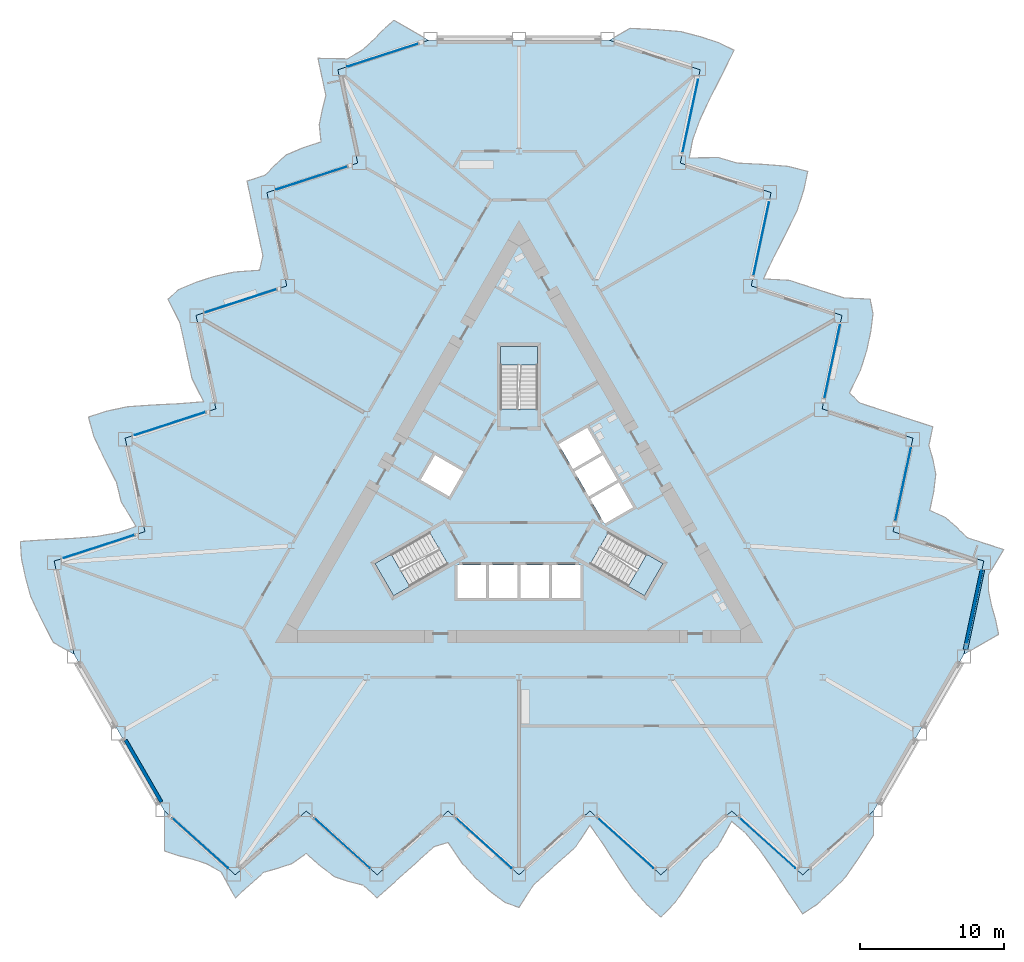
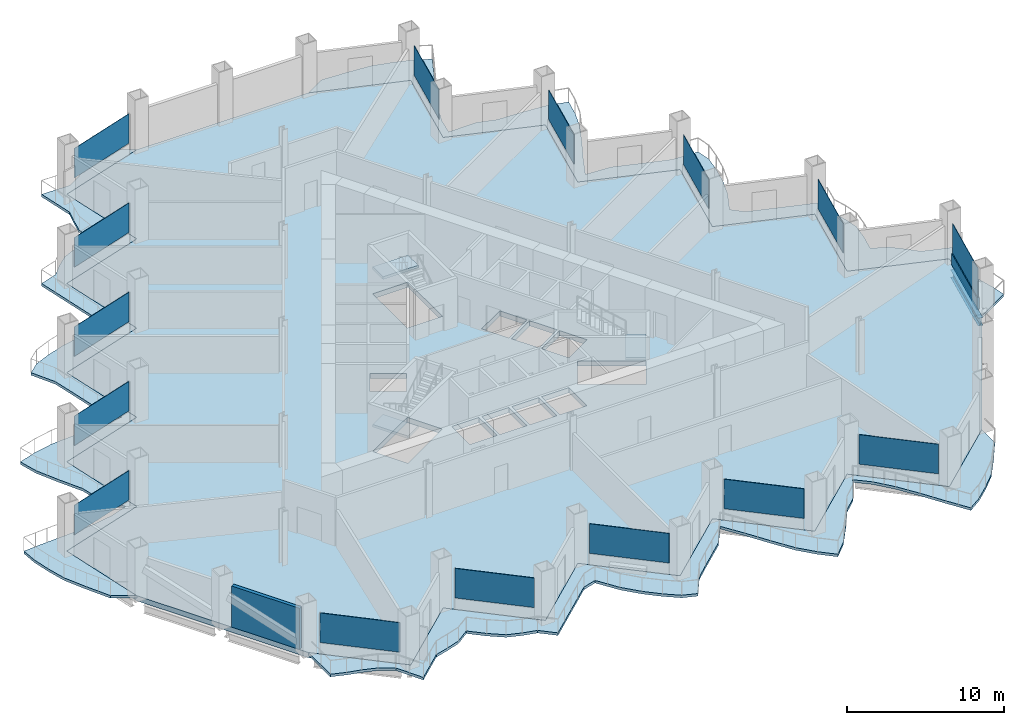
# One storey, part 8 of 21: 15 plates, 7 slabs, 1 beam, 1 member, 1 wall, 18 elements without a shape of their own.
"""IFC4 building model written with IfcOpenShell, lengths in metres."""

from ifc_helpers import new_model, si_unit, direction, frame, frame_2d, origin, origin_2d, place, context, subcontext, project, spatial, polyline, rectangle, i_section, outline, extrude, material, layer, layer_set, material_profile, profile_set, type_object, element, aggregate, save


model = new_model("IFC4")

# Units and contexts
model_context = context("Model", 3, precision=1e-05, world=origin(), true_north=direction((0.0, 1.0)))
body_context = subcontext(model_context, "Body", "Model", "MODEL_VIEW")
ifc_project = project(units=[si_unit("LENGTHUNIT", "METRE"), si_unit("AREAUNIT", "SQUARE_METRE"), si_unit("VOLUMEUNIT", "CUBIC_METRE"), si_unit("PLANEANGLEUNIT", "RADIAN"), si_unit("MASSUNIT", "GRAM", prefix="KILO")], contexts=[model_context])

# Site, building, storey
site_placement = place(None, origin())
site = spatial("IfcSite", under=ifc_project, at=site_placement, CompositionType="ELEMENT")
building_placement = place(site_placement, origin())
building = spatial("IfcBuilding", under=site, at=building_placement, Name="Cormorant Prow Tower", CompositionType="ELEMENT")
storey_placement = place(building_placement, frame((0.0, 0.0, 80.39990234375)))
storey = spatial("IfcBuildingStorey", under=building, at=storey_placement, Name="L17", CompositionType="ELEMENT", Elevation=80.39990234375)

# Curtain wall, member
ifc_material_1 = material(Name="Aluminium 6063-T6", Category="aluminium")
ifc_layer_1 = layer(ifc_material_1, 0.199951171875)
ifc_layer_set_1 = layer_set([ifc_layer_1], Name="Aluminium 6063-T6")
curtain_wall_type = type_object("IfcCurtainWallType", Name="Office unitised curtain wall 200", PredefinedType="NOTDEFINED", material=ifc_layer_set_1)
curtain_wall_1_placement = place(storey_placement, origin())
curtain_wall_1 = element("IfcCurtainWall", 1, at=curtain_wall_1_placement, inside=storey, type_object=curtain_wall_type, Name="Office curtain wall ENE00", PredefinedType="NOTDEFINED")
ifc_material_2 = material(Name="Terracotta", Category="masonry")
ifc_material_profile_1 = material_profile(ifc_material_2, rectangle(XDim=0.159912109375, YDim=0.89990234375, at=origin_2d()), Name="Office terracotta spandrel rail 160x900")
ifc_profile_set_1 = profile_set([ifc_material_profile_1], Name="Terracotta")
member_type = type_object("IfcMemberType", Name="Office terracotta spandrel rail 160x900", PredefinedType="USERDEFINED", material=ifc_profile_set_1)
member_placement = place(storey_placement, frame((31.15869140625, -9.87939453125, 0.4501953125), z_axis=(0.207907213273, 0.978148552455, 0.0), x_axis=(-0.978148552455, 0.207907213273, 0.0)))
member = element("IfcMember", 2, at=member_placement, type_object=member_type, Name="Office spandrel rail ENE00", ObjectType="TRANSOM", PredefinedType="USERDEFINED", context=body_context, shape_type="SweptSolid", body=[
    extrude(rectangle(XDim=0.159912109375, YDim=0.89990234375, at=origin_2d()), origin(), (0.0, 0.0, 1.0), 5.18212890625),
])

# Beam
ifc_material_3 = material(Name="Structural steel ASTM A992 Gr 50", Category="steel")
ifc_material_profile_2 = material_profile(ifc_material_3, i_section(OverallWidth=0.32373046875, OverallDepth=0.611083984375, WebThickness=0.0126953125, FlangeThickness=0.01904296875, at=origin_2d()), Name="W24x104")
ifc_profile_set_2 = profile_set([ifc_material_profile_2], Name="Structural steel ASTM A992 Gr 50")
beam_type = type_object("IfcBeamType", Name="Spandrel beam W24x104", PredefinedType="SPANDREL", material=ifc_profile_set_2)
beam_placement = place(storey_placement, frame((31.10400390625, -10.28466796875, -0.70556640625), z_axis=(0.207900376723, 0.97815000555, 0.0), x_axis=(-0.97815000555, 0.207900376723, 0.0)))
element("IfcBeam", 3, at=beam_placement, inside=storey, type_object=beam_type, Name="Spandrel beam SB1 ENE00-ENE01 L17", PredefinedType="SPANDREL", context=body_context, shape_type="SweptSolid", body=[
    extrude(i_section(OverallWidth=0.32373046875, OverallDepth=0.611083984375, WebThickness=0.0126953125, FlangeThickness=0.01904296875, at=origin_2d()), origin(), (0.0, 0.0, 1.0), 5.6826171875),
])

# Slabs
ifc_material_4 = material(Name="Concrete C40/50", Category="concrete")
ifc_layer_2 = layer(ifc_material_4, 0.199951171875)
ifc_layer_set_2 = layer_set([ifc_layer_2], Name="Concrete C40/50")
slab_type_1 = type_object("IfcSlabType", Name="Balcony slab 200", PredefinedType="FLOOR", material=ifc_layer_set_2)
slab_1_placement = place(storey_placement, frame((0.0, 0.0, -0.199951171875)))
element("IfcSlab", 4, at=slab_1_placement, inside=storey, type_object=slab_type_1, Name="Balcony slab S L17", PredefinedType="FLOOR", context=body_context, shape_type="SweptSolid", body=[
    extrude(outline(polyline([(-24.7021484375, -21.533935546875), (-24.7021484375, -24.31787109375), (-23.714111328125, -24.64892578125), (-22.72607421875, -24.893310546875), (-21.73779296875, -25.222900390625), (-20.749755859375, -25.787109375), (-19.76171875, -27.582275390625), (-18.773681640625, -26.692626953125), (-17.78564453125, -25.802978515625), (-16.79736328125, -25.522705078125), (-15.809326171875, -25.19580078125), (-14.8212890625, -24.48388671875), (-13.833251953125, -25.37353515625), (-12.84521484375, -26.112548828125), (-11.85693359375, -26.449462890625), (-10.868896484375, -26.69384765625), (-9.880859375, -27.582275390625), (-8.892822265625, -26.692626953125), (-7.90478515625, -25.802978515625), (-6.91650390625, -24.913330078125), (-5.928466796875, -24.023681640625), (-4.9404296875, -23.721923828125), (-3.952392578125, -25.179931640625), (-2.96435546875, -26.26318359375), (-1.97607421875, -27.15283203125), (-0.988037109375, -27.906982421875), (0.0, -28.249755859375), (0.988037109375, -26.71533203125), (1.97607421875, -25.802978515625), (2.96435546875, -24.913330078125), (3.952392578125, -24.023681640625), (4.9404296875, -22.511962890625), (5.928466796875, -23.945556640625), (6.91650390625, -25.479736328125), (7.90478515625, -26.943115234375), (8.892822265625, -28.042724609375), (9.880859375, -28.932373046875), (10.868896484375, -27.921875), (11.85693359375, -26.491455078125), (12.84521484375, -24.95751953125), (13.833251953125, -24.023681640625), (14.8212890625, -22.24755859375), (15.809326171875, -23.098876953125), (16.79736328125, -24.276611328125), (17.78564453125, -25.7041015625), (18.773681640625, -27.23779296875), (19.76171875, -28.7060546875), (20.749755859375, -28.042724609375), (21.73779296875, -27.15283203125), (22.72607421875, -26.156982421875), (23.714111328125, -24.73291015625), (24.7021484375, -23.19970703125), (24.7021484375, -21.533935546875), (23.714111328125, -22.423583984375), (22.72607421875, -23.313232421875), (21.73779296875, -24.202880859375), (20.749755859375, -25.092529296875), (19.76171875, -25.982421875), (18.773681640625, -25.092529296875), (17.78564453125, -24.202880859375), (16.79736328125, -23.313232421875), (15.809326171875, -22.423583984375), (14.8212890625, -21.533935546875), (13.833251953125, -22.423583984375), (12.84521484375, -23.313232421875), (11.85693359375, -24.202880859375), (10.868896484375, -25.092529296875), (9.880859375, -25.982421875), (8.892822265625, -25.092529296875), (7.90478515625, -24.202880859375), (6.91650390625, -23.313232421875), (5.928466796875, -22.423583984375), (4.9404296875, -21.533935546875), (3.952392578125, -22.423583984375), (2.96435546875, -23.313232421875), (1.97607421875, -24.202880859375), (0.988037109375, -25.092529296875), (0.0, -25.982421875), (-0.988037109375, -25.092529296875), (-1.97607421875, -24.202880859375), (-2.96435546875, -23.313232421875), (-3.952392578125, -22.423583984375), (-4.9404296875, -21.533935546875), (-5.928466796875, -22.423583984375), (-6.91650390625, -23.313232421875), (-7.90478515625, -24.202880859375), (-8.892822265625, -25.092529296875), (-9.880859375, -25.982421875), (-10.868896484375, -25.092529296875), (-11.85693359375, -24.202880859375), (-12.84521484375, -23.313232421875), (-13.833251953125, -22.423583984375), (-14.8212890625, -21.533935546875), (-15.809326171875, -22.423583984375), (-16.79736328125, -23.313232421875), (-17.78564453125, -24.202880859375), (-18.773681640625, -25.092529296875), (-19.76171875, -25.982421875), (-20.749755859375, -25.092529296875), (-21.73779296875, -24.202880859375), (-22.72607421875, -23.313232421875), (-23.714111328125, -22.423583984375), (-24.7021484375, -21.533935546875)])), origin(), (0.0, 0.0, 1.0), 0.199951171875),
])
slab_2_placement = place(storey_placement, frame((0.0, 0.0, -0.199951171875)))
element("IfcSlab", 5, at=slab_2_placement, inside=storey, type_object=slab_type_1, Name="Balcony slab ENE L17", PredefinedType="FLOOR", context=body_context, shape_type="SweptSolid", body=[
    extrude(outline(polyline([(31.0, -10.625732421875), (33.410888671875, -9.23388671875), (33.20361328125, -8.212646484375), (32.921142578125, -7.234619140625), (32.712646484375, -6.214111328125), (32.707275390625, -5.076416015625), (33.767822265625, -3.322998046875), (32.50341796875, -2.912109375), (31.23876953125, -2.501220703125), (30.501953125, -1.78564453125), (29.724853515625, -1.093505859375), (28.6142578125, -0.59375), (28.890869140625, 0.706787109375), (29.03662109375, 1.93212890625), (28.83447265625, 2.956298828125), (28.552001953125, 3.93408203125), (28.827392578125, 5.234130859375), (27.56298828125, 5.64501953125), (26.29833984375, 6.055908203125), (25.033935546875, 6.466796875), (23.769287109375, 6.87744140625), (23.013916015625, 7.58251953125), (23.782470703125, 9.1669921875), (24.226806640625, 10.564453125), (24.503173828125, 11.864990234375), (24.662353515625, 13.097900390625), (24.465087890625, 14.125), (22.64208984375, 14.21337890625), (21.35791015625, 14.61279296875), (20.093505859375, 15.023681640625), (18.828857421875, 15.4345703125), (17.02587890625, 15.53466796875), (17.773193359375, 17.10693359375), (18.60791015625, 18.72998046875), (19.381103515625, 20.317138671875), (19.839111328125, 21.72265625), (20.11572265625, 23.023193359375), (18.74658203125, 23.373779296875), (17.013671875, 23.51416015625), (15.191162109375, 23.60302734375), (13.888427734375, 23.99169921875), (11.856201171875, 23.95947265625), (12.099609375, 25.24072265625), (12.62548828125, 26.685302734375), (13.36767578125, 28.2548828125), (14.20166015625, 29.877197265625), (14.979248046875, 31.46728515625), (13.91064453125, 31.9912109375), (12.646240234375, 32.402099609375), (11.289794921875, 32.759765625), (9.562255859375, 32.903564453125), (7.740478515625, 32.992431640625), (6.2978515625, 32.15966796875), (7.562255859375, 31.748779296875), (8.826904296875, 31.337890625), (10.09130859375, 30.927001953125), (11.35595703125, 30.51611328125), (12.620361328125, 30.105224609375), (12.343994140625, 28.8046875), (12.067626953125, 27.504150390625), (11.791259765625, 26.20361328125), (11.5146484375, 24.903076171875), (11.23828125, 23.6025390625), (12.502685546875, 23.191650390625), (13.767333984375, 22.78076171875), (15.03173828125, 22.369873046875), (16.29638671875, 21.958984375), (17.560791015625, 21.54833984375), (17.284423828125, 20.247802734375), (17.008056640625, 18.947021484375), (16.731689453125, 17.646484375), (16.455078125, 16.345947265625), (16.1787109375, 15.04541015625), (17.443115234375, 14.634521484375), (18.707763671875, 14.223876953125), (19.97216796875, 13.81298828125), (21.23681640625, 13.402099609375), (22.501220703125, 12.9912109375), (22.224853515625, 11.690673828125), (21.948486328125, 10.39013671875), (21.672119140625, 9.089599609375), (21.3955078125, 7.7890625), (21.119140625, 6.488525390625), (22.383544921875, 6.07763671875), (23.648193359375, 5.666748046875), (24.91259765625, 5.255859375), (26.17724609375, 4.844970703125), (27.441650390625, 4.43408203125), (27.165283203125, 3.133544921875), (26.888916015625, 1.8330078125), (26.612548828125, 0.532470703125), (26.3359375, -0.76806640625), (26.0595703125, -2.068603515625), (27.323974609375, -2.4794921875), (28.588623046875, -2.890380859375), (29.85302734375, -3.30126953125), (31.11767578125, -3.712158203125), (32.382080078125, -4.123046875), (32.105712890625, -5.423583984375), (31.829345703125, -6.72412109375), (31.552978515625, -8.024658203125), (31.2763671875, -9.3251953125), (31.0, -10.625732421875)])), origin(), (0.0, 0.0, 1.0), 0.199951171875),
])
slab_3_placement = place(storey_placement, frame((0.0, 0.0, -0.199951171875)))
element("IfcSlab", 6, at=slab_3_placement, inside=storey, type_object=slab_type_1, Name="Balcony slab WNW L17", PredefinedType="FLOOR", context=body_context, shape_type="SweptSolid", body=[
    extrude(outline(polyline([(-6.2978515625, 32.15966796875), (-8.708740234375, 33.551513671875), (-9.489501953125, 32.861328125), (-10.1953125, 32.1279296875), (-10.974853515625, 31.43701171875), (-11.95751953125, 30.863525390625), (-14.006103515625, 30.9052734375), (-13.729736328125, 29.604736328125), (-13.453125, 28.30419921875), (-13.70458984375, 27.308349609375), (-13.91552734375, 26.289306640625), (-13.79296875, 25.07763671875), (-15.0576171875, 24.666748046875), (-16.191650390625, 24.180419921875), (-16.977294921875, 23.4931640625), (-17.68310546875, 22.759765625), (-18.946533203125, 22.34814453125), (-18.670166015625, 21.047607421875), (-18.3935546875, 19.7470703125), (-18.1171875, 18.446533203125), (-17.8408203125, 17.14599609375), (-18.073486328125, 16.139404296875), (-19.830322265625, 16.0126953125), (-21.262451171875, 15.69873046875), (-22.527099609375, 15.287841796875), (-23.674072265625, 14.809326171875), (-24.465087890625, 14.125), (-23.630126953125, 12.501953125), (-23.333984375, 11.18994140625), (-23.0576171875, 9.889404296875), (-22.78125, 8.5888671875), (-21.96630859375, 6.9775390625), (-23.70166015625, 6.838623046875), (-25.5244140625, 6.75), (-27.28564453125, 6.6259765625), (-28.73193359375, 6.31982421875), (-29.99658203125, 5.9091796875), (-29.615478515625, 4.548095703125), (-28.870849609375, 2.977294921875), (-28.036376953125, 1.3544921875), (-27.7216796875, 0.031982421875), (-26.677490234375, -1.7119140625), (-27.908935546875, -2.141845703125), (-29.4228515625, -2.40869140625), (-31.153076171875, -2.55078125), (-32.975341796875, -2.6396484375), (-34.740966796875, -2.76123046875), (-34.66064453125, -3.948486328125), (-34.384033203125, -5.2490234375), (-34.015625, -6.602783203125), (-33.2763671875, -8.170654296875), (-32.442626953125, -9.79296875), (-31.0, -10.625732421875), (-31.2763671875, -9.3251953125), (-31.552978515625, -8.024658203125), (-31.829345703125, -6.72412109375), (-32.105712890625, -5.423583984375), (-32.382080078125, -4.123046875), (-31.11767578125, -3.712158203125), (-29.85302734375, -3.30126953125), (-28.588623046875, -2.890380859375), (-27.323974609375, -2.4794921875), (-26.0595703125, -2.068603515625), (-26.3359375, -0.76806640625), (-26.612548828125, 0.532470703125), (-26.888916015625, 1.8330078125), (-27.165283203125, 3.133544921875), (-27.441650390625, 4.43408203125), (-26.17724609375, 4.844970703125), (-24.91259765625, 5.255859375), (-23.648193359375, 5.666748046875), (-22.383544921875, 6.07763671875), (-21.119140625, 6.488525390625), (-21.3955078125, 7.7890625), (-21.672119140625, 9.089599609375), (-21.948486328125, 10.39013671875), (-22.224853515625, 11.690673828125), (-22.501220703125, 12.9912109375), (-21.23681640625, 13.402099609375), (-19.97216796875, 13.81298828125), (-18.707763671875, 14.223876953125), (-17.443115234375, 14.634521484375), (-16.1787109375, 15.04541015625), (-16.455078125, 16.345947265625), (-16.731689453125, 17.646484375), (-17.008056640625, 18.947021484375), (-17.284423828125, 20.247802734375), (-17.560791015625, 21.54833984375), (-16.29638671875, 21.958984375), (-15.03173828125, 22.369873046875), (-13.767333984375, 22.78076171875), (-12.502685546875, 23.191650390625), (-11.23828125, 23.6025390625), (-11.5146484375, 24.903076171875), (-11.791259765625, 26.20361328125), (-12.067626953125, 27.504150390625), (-12.343994140625, 28.8046875), (-12.620361328125, 30.105224609375), (-11.35595703125, 30.51611328125), (-10.09130859375, 30.927001953125), (-8.826904296875, 31.337890625), (-7.562255859375, 31.748779296875), (-6.2978515625, 32.15966796875)])), origin(), (0.0, 0.0, 1.0), 0.199951171875),
])

# Curtain wall, plate
curtain_wall_2_placement = place(storey_placement, origin())
curtain_wall_2 = element("IfcCurtainWall", 7, at=curtain_wall_2_placement, inside=storey, type_object=curtain_wall_type, Name="Office curtain wall S00", PredefinedType="NOTDEFINED")
ifc_material_5 = material(Name="Clear glass", Category="glass")
ifc_layer_3 = layer(ifc_material_5, 0.031982421875)
ifc_layer_set_3 = layer_set([ifc_layer_3], Name="Clear glass")
plate_type = type_object("IfcPlateType", Name="Office glass panel 32", PredefinedType="CURTAIN_PANEL", material=ifc_layer_set_3)
plate_1_placement = place(storey_placement, frame((-22.209716796875, -23.778076171875, 0.89990234375), z_axis=(0.0, 0.0, 1.0), x_axis=(0.743144814546, -0.669130618499, 0.0)))
plate_1 = element("IfcPlate", 8, at=plate_1_placement, type_object=plate_type, Name="Office glass panel S00", PredefinedType="CURTAIN_PANEL", context=body_context, shape_type="SweptSolid", body=[
    extrude(rectangle(XDim=5.18212890625, YDim=0.031982421875, at=origin_2d()), origin(), (0.0, 0.0, 1.0), 2.288818359375),
])
aggregate(curtain_wall_2, [plate_1])

curtain_wall_3_placement = place(storey_placement, origin())
curtain_wall_3 = element("IfcCurtainWall", 9, at=curtain_wall_3_placement, inside=storey, type_object=curtain_wall_type, Name="Office curtain wall S02", PredefinedType="NOTDEFINED")
plate_2_placement = place(storey_placement, frame((-12.328857421875, -23.778076171875, 0.89990234375), z_axis=(0.0, 0.0, 1.0), x_axis=(0.743144814546, -0.669130618499, 0.0)))
plate_2 = element("IfcPlate", 10, at=plate_2_placement, type_object=plate_type, Name="Office glass panel S02", PredefinedType="CURTAIN_PANEL", context=body_context, shape_type="SweptSolid", body=[
    extrude(rectangle(XDim=5.18212890625, YDim=0.031982421875, at=origin_2d()), origin(), (0.0, 0.0, 1.0), 2.288818359375),
])
aggregate(curtain_wall_3, [plate_2])

curtain_wall_4_placement = place(storey_placement, origin())
curtain_wall_4 = element("IfcCurtainWall", 11, at=curtain_wall_4_placement, inside=storey, type_object=curtain_wall_type, Name="Office curtain wall S04", PredefinedType="NOTDEFINED")
plate_3_placement = place(storey_placement, frame((-2.447998046875, -23.778076171875, 0.89990234375), z_axis=(0.0, 0.0, 1.0), x_axis=(0.743144814546, -0.669130618499, 0.0)))
plate_3 = element("IfcPlate", 12, at=plate_3_placement, type_object=plate_type, Name="Office glass panel S04", PredefinedType="CURTAIN_PANEL", context=body_context, shape_type="SweptSolid", body=[
    extrude(rectangle(XDim=5.18212890625, YDim=0.031982421875, at=origin_2d()), origin(), (0.0, 0.0, 1.0), 2.288818359375),
])
aggregate(curtain_wall_4, [plate_3])

curtain_wall_5_placement = place(storey_placement, origin())
curtain_wall_5 = element("IfcCurtainWall", 13, at=curtain_wall_5_placement, inside=storey, type_object=curtain_wall_type, Name="Office curtain wall S06", PredefinedType="NOTDEFINED")
plate_4_placement = place(storey_placement, frame((7.432861328125, -23.778076171875, 0.89990234375), z_axis=(0.0, 0.0, 1.0), x_axis=(0.743144881885, -0.669130543712, 0.0)))
plate_4 = element("IfcPlate", 14, at=plate_4_placement, type_object=plate_type, Name="Office glass panel S06", PredefinedType="CURTAIN_PANEL", context=body_context, shape_type="SweptSolid", body=[
    extrude(rectangle(XDim=5.18212890625, YDim=0.031982421875, at=origin_2d()), origin(), (0.0, 0.0, 1.0), 2.288818359375),
])
aggregate(curtain_wall_5, [plate_4])

curtain_wall_6_placement = place(storey_placement, origin())
curtain_wall_6 = element("IfcCurtainWall", 15, at=curtain_wall_6_placement, inside=storey, type_object=curtain_wall_type, Name="Office curtain wall S08", PredefinedType="NOTDEFINED")
plate_5_placement = place(storey_placement, frame((17.313720703125, -23.778076171875, 0.89990234375), z_axis=(0.0, 0.0, 1.0), x_axis=(0.743144881885, -0.669130543712, 0.0)))
plate_5 = element("IfcPlate", 16, at=plate_5_placement, type_object=plate_type, Name="Office glass panel S08", PredefinedType="CURTAIN_PANEL", context=body_context, shape_type="SweptSolid", body=[
    extrude(rectangle(XDim=5.18212890625, YDim=0.031982421875, at=origin_2d()), origin(), (0.0, 0.0, 1.0), 2.288818359375),
])
aggregate(curtain_wall_6, [plate_5])

# Plate
plate_6_placement = place(storey_placement, frame((31.697265625, -7.344970703125, 0.89990234375), z_axis=(0.0, 0.0, 1.0), x_axis=(0.207911722401, 0.978147594021, 0.0)))
plate_6 = element("IfcPlate", 17, at=plate_6_placement, type_object=plate_type, Name="Office glass panel ENE00", PredefinedType="CURTAIN_PANEL", context=body_context, shape_type="SweptSolid", body=[
    extrude(rectangle(XDim=5.18212890625, YDim=0.031982421875, at=origin_2d()), origin(), (0.0, 0.0, 1.0), 2.288818359375),
])

aggregate(curtain_wall_1, [member, plate_6])

# Curtain wall, plate
curtain_wall_7_placement = place(storey_placement, origin())
curtain_wall_7 = element("IfcCurtainWall", 18, at=curtain_wall_7_placement, inside=storey, type_object=curtain_wall_type, Name="Office curtain wall ENE02", PredefinedType="NOTDEFINED")
plate_7_placement = place(storey_placement, frame((26.7568359375, 1.212158203125, 0.89990234375), z_axis=(0.0, 0.0, 1.0), x_axis=(0.207911578485, 0.978147624611, 0.0)))
plate_7 = element("IfcPlate", 19, at=plate_7_placement, type_object=plate_type, Name="Office glass panel ENE02", PredefinedType="CURTAIN_PANEL", context=body_context, shape_type="SweptSolid", body=[
    extrude(rectangle(XDim=5.18212890625, YDim=0.031982421875, at=origin_2d()), origin(), (0.0, 0.0, 1.0), 2.288818359375),
])
aggregate(curtain_wall_7, [plate_7])

curtain_wall_8_placement = place(storey_placement, origin())
curtain_wall_8 = element("IfcCurtainWall", 20, at=curtain_wall_8_placement, inside=storey, type_object=curtain_wall_type, Name="Office curtain wall ENE04", PredefinedType="NOTDEFINED")
plate_8_placement = place(storey_placement, frame((21.81640625, 9.76904296875, 0.89990234375), z_axis=(0.0, 0.0, 1.0), x_axis=(0.207911722401, 0.978147594021, 0.0)))
plate_8 = element("IfcPlate", 21, at=plate_8_placement, type_object=plate_type, Name="Office glass panel ENE04", PredefinedType="CURTAIN_PANEL", context=body_context, shape_type="SweptSolid", body=[
    extrude(rectangle(XDim=5.18212890625, YDim=0.031982421875, at=origin_2d()), origin(), (0.0, 0.0, 1.0), 2.288818359375),
])
aggregate(curtain_wall_8, [plate_8])

curtain_wall_9_placement = place(storey_placement, origin())
curtain_wall_9 = element("IfcCurtainWall", 22, at=curtain_wall_9_placement, inside=storey, type_object=curtain_wall_type, Name="Office curtain wall ENE06", PredefinedType="NOTDEFINED")
plate_9_placement = place(storey_placement, frame((16.8759765625, 18.326171875, 0.89990234375), z_axis=(0.0, 0.0, 1.0), x_axis=(0.207911722401, 0.978147594021, 0.0)))
plate_9 = element("IfcPlate", 23, at=plate_9_placement, type_object=plate_type, Name="Office glass panel ENE06", PredefinedType="CURTAIN_PANEL", context=body_context, shape_type="SweptSolid", body=[
    extrude(rectangle(XDim=5.18212890625, YDim=0.031982421875, at=origin_2d()), origin(), (0.0, 0.0, 1.0), 2.288818359375),
])
aggregate(curtain_wall_9, [plate_9])

curtain_wall_10_placement = place(storey_placement, origin())
curtain_wall_10 = element("IfcCurtainWall", 24, at=curtain_wall_10_placement, inside=storey, type_object=curtain_wall_type, Name="Office curtain wall ENE08", PredefinedType="NOTDEFINED")
plate_10_placement = place(storey_placement, frame((11.935546875, 26.88330078125, 0.89990234375), z_axis=(0.0, 0.0, 1.0), x_axis=(0.207911722401, 0.978147594021, 0.0)))
plate_10 = element("IfcPlate", 25, at=plate_10_placement, type_object=plate_type, Name="Office glass panel ENE08", PredefinedType="CURTAIN_PANEL", context=body_context, shape_type="SweptSolid", body=[
    extrude(rectangle(XDim=5.18212890625, YDim=0.031982421875, at=origin_2d()), origin(), (0.0, 0.0, 1.0), 2.288818359375),
])
aggregate(curtain_wall_10, [plate_10])

curtain_wall_11_placement = place(storey_placement, origin())
curtain_wall_11 = element("IfcCurtainWall", 26, at=curtain_wall_11_placement, inside=storey, type_object=curtain_wall_type, Name="Office curtain wall WNW00", PredefinedType="NOTDEFINED")
plate_11_placement = place(storey_placement, frame((-9.48779296875, 31.123291015625, 0.89990234375), z_axis=(0.0, 0.0, 1.0), x_axis=(-0.951056501658, -0.309017039425, 0.0)))
plate_11 = element("IfcPlate", 27, at=plate_11_placement, type_object=plate_type, Name="Office glass panel WNW00", PredefinedType="CURTAIN_PANEL", context=body_context, shape_type="SweptSolid", body=[
    extrude(rectangle(XDim=5.18212890625, YDim=0.031982421875, at=origin_2d()), origin(), (0.0, 0.0, 1.0), 2.288818359375),
])
aggregate(curtain_wall_11, [plate_11])

curtain_wall_12_placement = place(storey_placement, origin())
curtain_wall_12 = element("IfcCurtainWall", 28, at=curtain_wall_12_placement, inside=storey, type_object=curtain_wall_type, Name="Office curtain wall WNW02", PredefinedType="NOTDEFINED")
plate_12_placement = place(storey_placement, frame((-14.42822265625, 22.566162109375, 0.89990234375), z_axis=(0.0, 0.0, 1.0), x_axis=(-0.951056560224, -0.309016859176, 0.0)))
plate_12 = element("IfcPlate", 29, at=plate_12_placement, type_object=plate_type, Name="Office glass panel WNW02", PredefinedType="CURTAIN_PANEL", context=body_context, shape_type="SweptSolid", body=[
    extrude(rectangle(XDim=5.18212890625, YDim=0.031982421875, at=origin_2d()), origin(), (0.0, 0.0, 1.0), 2.288818359375),
])
aggregate(curtain_wall_12, [plate_12])

curtain_wall_13_placement = place(storey_placement, origin())
curtain_wall_13 = element("IfcCurtainWall", 30, at=curtain_wall_13_placement, inside=storey, type_object=curtain_wall_type, Name="Office curtain wall WNW04", PredefinedType="NOTDEFINED")
plate_13_placement = place(storey_placement, frame((-19.36865234375, 14.009033203125, 0.89990234375), z_axis=(0.0, 0.0, 1.0), x_axis=(-0.951056501658, -0.309017039425, 0.0)))
plate_13 = element("IfcPlate", 31, at=plate_13_placement, type_object=plate_type, Name="Office glass panel WNW04", PredefinedType="CURTAIN_PANEL", context=body_context, shape_type="SweptSolid", body=[
    extrude(rectangle(XDim=5.18212890625, YDim=0.031982421875, at=origin_2d()), origin(), (0.0, 0.0, 1.0), 2.288818359375),
])
aggregate(curtain_wall_13, [plate_13])

curtain_wall_14_placement = place(storey_placement, origin())
curtain_wall_14 = element("IfcCurtainWall", 32, at=curtain_wall_14_placement, inside=storey, type_object=curtain_wall_type, Name="Office curtain wall WNW06", PredefinedType="NOTDEFINED")
plate_14_placement = place(storey_placement, frame((-24.30908203125, 5.451904296875, 0.89990234375), z_axis=(0.0, 0.0, 1.0), x_axis=(-0.951056501658, -0.309017039425, 0.0)))
plate_14 = element("IfcPlate", 33, at=plate_14_placement, type_object=plate_type, Name="Office glass panel WNW06", PredefinedType="CURTAIN_PANEL", context=body_context, shape_type="SweptSolid", body=[
    extrude(rectangle(XDim=5.18212890625, YDim=0.031982421875, at=origin_2d()), origin(), (0.0, 0.0, 1.0), 2.288818359375),
])
aggregate(curtain_wall_14, [plate_14])

curtain_wall_15_placement = place(storey_placement, origin())
curtain_wall_15 = element("IfcCurtainWall", 34, at=curtain_wall_15_placement, inside=storey, type_object=curtain_wall_type, Name="Office curtain wall WNW08", PredefinedType="NOTDEFINED")
plate_15_placement = place(storey_placement, frame((-29.24951171875, -3.105224609375, 0.89990234375), z_axis=(0.0, 0.0, 1.0), x_axis=(-0.951056545862, -0.309016903379, 0.0)))
plate_15 = element("IfcPlate", 35, at=plate_15_placement, type_object=plate_type, Name="Office glass panel WNW08", PredefinedType="CURTAIN_PANEL", context=body_context, shape_type="SweptSolid", body=[
    extrude(rectangle(XDim=5.18212890625, YDim=0.031982421875, at=origin_2d()), origin(), (0.0, 0.0, 1.0), 2.288818359375),
])
aggregate(curtain_wall_15, [plate_15])

# Slab
ifc_material_6 = material(Name="Concrete C40/50", Category="concrete")
ifc_layer_4 = layer(ifc_material_6, 0.39990234375)
ifc_layer_set_4 = layer_set([ifc_layer_4], Name="Concrete C40/50")
slab_type_2 = type_object("IfcSlabType", Name="Post-tensioned flat slab 400", PredefinedType="FLOOR", material=ifc_layer_set_4)
slab_4_placement = place(storey_placement, frame((0.0, 0.0, -0.39990234375)))
element("IfcSlab", 36, at=slab_4_placement, inside=storey, type_object=slab_type_2, Name="Floor slab L17", PredefinedType="FLOOR", context=body_context, shape_type="SweptSolid", body=[
    extrude(outline(polyline([(-12.620361328125, 30.105224609375), (-11.23828125, 23.6025390625), (-17.560791015625, 21.54833984375), (-16.1787109375, 15.04541015625), (-22.501220703125, 12.9912109375), (-21.119140625, 6.488525390625), (-27.441650390625, 4.43408203125), (-26.0595703125, -2.068603515625), (-32.382080078125, -4.123046875), (-31.0, -10.625732421875), (-27.85107421875, -16.079833984375), (-24.7021484375, -21.533935546875), (-19.76171875, -25.982421875), (-14.8212890625, -21.533935546875), (-9.880859375, -25.982421875), (-4.9404296875, -21.533935546875), (0.0, -25.982421875), (4.9404296875, -21.533935546875), (9.880859375, -25.982421875), (14.8212890625, -21.533935546875), (19.76171875, -25.982421875), (24.7021484375, -21.533935546875), (27.85107421875, -16.079833984375), (31.0, -10.625732421875), (32.382080078125, -4.123046875), (26.0595703125, -2.068603515625), (27.441650390625, 4.43408203125), (21.119140625, 6.488525390625), (22.501220703125, 12.9912109375), (16.1787109375, 15.04541015625), (17.560791015625, 21.54833984375), (11.23828125, 23.6025390625), (12.620361328125, 30.105224609375), (6.2978515625, 32.15966796875), (0.0, 32.15966796875), (-6.2978515625, 32.15966796875), (-12.620361328125, 30.105224609375)]), holes=[polyline([(-4.300048828125, -6.699951171875), (-4.300048828125, -4.39990234375), (-2.300048828125, -4.39990234375), (-2.300048828125, -6.699951171875), (-4.300048828125, -6.699951171875)]), polyline([(-2.10009765625, -4.39990234375), (-0.10009765625, -4.39990234375), (-0.10009765625, -6.699951171875), (-2.10009765625, -6.699951171875), (-2.10009765625, -4.39990234375)]), polyline([(2.10009765625, -4.39990234375), (2.10009765625, -6.699951171875), (0.10009765625, -6.699951171875), (0.10009765625, -4.39990234375), (2.10009765625, -4.39990234375)]), polyline([(4.300048828125, -6.699951171875), (2.300048828125, -6.699951171875), (2.300048828125, -4.39990234375), (4.300048828125, -4.39990234375), (4.300048828125, -6.699951171875)]), polyline([(7.952392578125, -0.373779296875), (5.96044921875, -1.52392578125), (4.96044921875, 0.2080078125), (6.952392578125, 1.358154296875), (7.952392578125, -0.373779296875)]), polyline([(4.860595703125, 0.38134765625), (3.860595703125, 2.11328125), (5.852294921875, 3.263427734375), (6.852294921875, 1.53125), (4.860595703125, 0.38134765625)]), polyline([(2.760498046875, 4.018798828125), (4.75244140625, 5.168701171875), (5.75244140625, 3.4365234375), (3.760498046875, 2.28662109375), (2.760498046875, 4.018798828125)]), polyline([(-6.852294921875, 1.53125), (-5.852294921875, 3.263427734375), (-3.860595703125, 2.11328125), (-4.860595703125, 0.38134765625), (-6.852294921875, 1.53125)]), polyline([(-4.947509765625, -4.3505859375), (-8.738037109375, -6.5390625), (-10.031982421875, -4.2978515625), (-6.241455078125, -2.109375), (-4.947509765625, -4.3505859375)]), polyline([(10.031982421875, -4.2978515625), (8.738037109375, -6.5390625), (4.947509765625, -4.3505859375), (6.241455078125, -2.109375), (10.031982421875, -4.2978515625)]), polyline([(1.2939453125, 10.8369140625), (1.2939453125, 6.459716796875), (-1.2939453125, 6.459716796875), (-1.2939453125, 10.8369140625), (1.2939453125, 10.8369140625)])]), origin(), (0.0, 0.0, 1.0), 0.39990234375),
])

# Stair, slab
ifc_material_7 = material(Name="Exit stair 24 risers")
stair_type = type_object("IfcStairType", Name="Exit stair 24 risers", PredefinedType="HALF_TURN_STAIR", material=ifc_material_7)
stair_1_placement = place(storey_placement, origin())
stair_1 = element("IfcStair", 37, at=stair_1_placement, inside=storey, type_object=stair_type, Name="L17 Exit stair ST1", PredefinedType="HALF_TURN_STAIR")
ifc_material_8 = material(Name="Concrete 5000 psi", Category="concrete")
ifc_layer_5 = layer(ifc_material_8, 0.199951171875)
ifc_layer_set_5 = layer_set([ifc_layer_5], Name="Concrete 5000 psi")
slab_type_3 = type_object("IfcSlabType", Name="Stair landing 200", PredefinedType="LANDING", material=ifc_layer_set_5)
slab_5_placement = place(storey_placement, frame((0.0, 0.0, 1.900146484375)))
slab_5 = element("IfcSlab", 38, at=slab_5_placement, type_object=slab_type_3, Name="ST1 landing 1", PredefinedType="LANDING", context=body_context, shape_type="SweptSolid", body=[
    extrude(outline(polyline([(-8.90185546875, -3.645263671875), (-10.031982421875, -4.2978515625), (-8.738037109375, -6.5390625), (-7.60791015625, -5.886474609375), (-8.90185546875, -3.645263671875)])), origin(), (0.0, 0.0, 1.0), 0.199951171875),
])
aggregate(stair_1, [slab_5])

stair_2_placement = place(storey_placement, origin())
stair_2 = element("IfcStair", 39, at=stair_2_placement, inside=storey, type_object=stair_type, Name="L17 Exit stair ST2", PredefinedType="HALF_TURN_STAIR")
slab_6_placement = place(storey_placement, frame((0.0, 0.0, 1.900146484375)))
slab_6 = element("IfcSlab", 40, at=slab_6_placement, type_object=slab_type_3, Name="ST2 landing 1", PredefinedType="LANDING", context=body_context, shape_type="SweptSolid", body=[
    extrude(outline(polyline([(7.60791015625, -5.886474609375), (8.738037109375, -6.5390625), (10.031982421875, -4.2978515625), (8.90185546875, -3.645263671875), (7.60791015625, -5.886474609375)])), origin(), (0.0, 0.0, 1.0), 0.199951171875),
])
aggregate(stair_2, [slab_6])

stair_3_placement = place(storey_placement, origin())
stair_3 = element("IfcStair", 41, at=stair_3_placement, inside=storey, type_object=stair_type, Name="L17 Exit stair ST3", PredefinedType="HALF_TURN_STAIR")
slab_7_placement = place(storey_placement, frame((0.0, 0.0, 1.900146484375)))
slab_7 = element("IfcSlab", 42, at=slab_7_placement, type_object=slab_type_3, Name="ST3 landing 1", PredefinedType="LANDING", context=body_context, shape_type="SweptSolid", body=[
    extrude(outline(polyline([(1.2939453125, 9.53173828125), (1.2939453125, 10.8369140625), (-1.2939453125, 10.8369140625), (-1.2939453125, 9.53173828125), (1.2939453125, 9.53173828125)])), origin(), (0.0, 0.0, 1.0), 0.199951171875),
])
aggregate(stair_3, [slab_7])

# Wall
ifc_material_9 = material(Name="Terracotta", Category="masonry")
ifc_layer_6 = layer(ifc_material_9, 0.25)
ifc_layer_set_6 = layer_set([ifc_layer_6], Name="Terracotta")
wall_type = type_object("IfcWallType", Name="Terracotta bay wall 250", PredefinedType="SOLIDWALL", material=ifc_layer_set_6)
wall_placement = place(storey_placement, frame((-27.4111328125, -16.591796875, 0.0), z_axis=(0.0, 0.0, 1.0), x_axis=(0.499978178329, -0.866038002165, 0.0)))
element("IfcWall", 43, at=wall_placement, inside=storey, type_object=wall_type, Name="Terracotta bay wall WSW01", PredefinedType="SOLIDWALL", context=body_context, shape_type="SweptSolid", body=[
    extrude(rectangle(XDim=4.986083984375, YDim=0.25, at=frame_2d((2.4931640625, 0.0))), origin(), (0.0, 0.0, 1.0), 3.18896484375),
])

save(model, "model.ifc")
